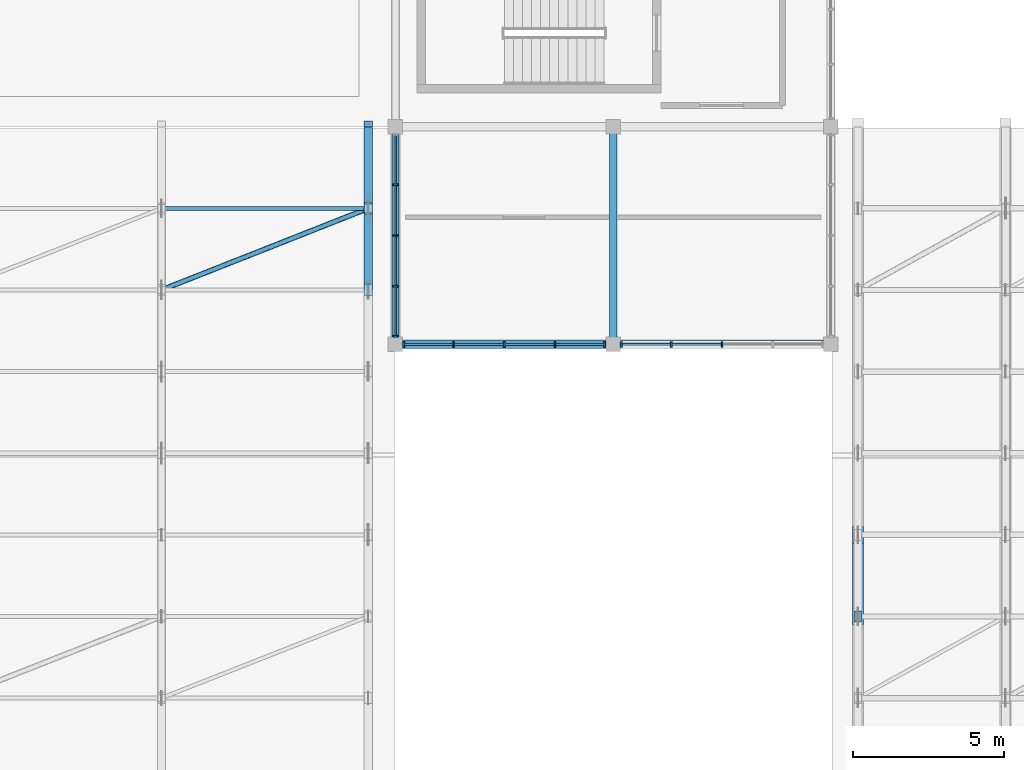
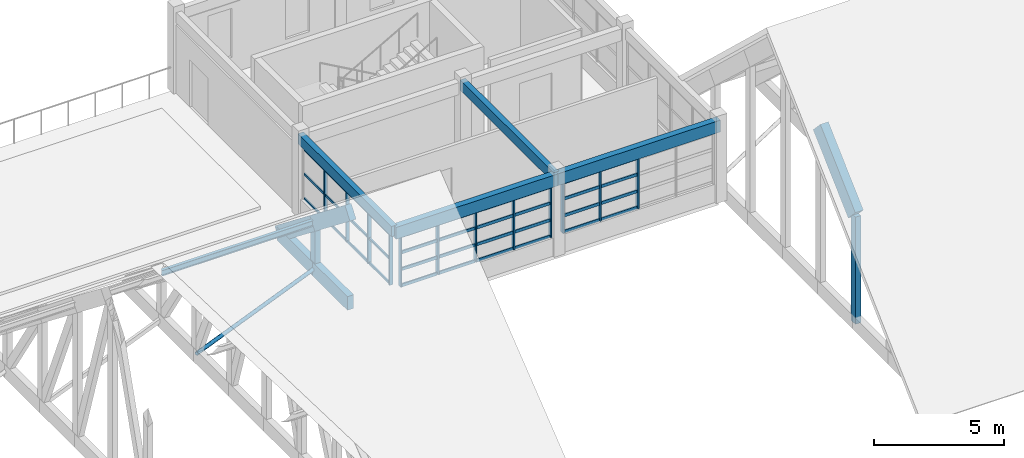
# One storey, part 20 of 79: 57 members, 4 beams, 3 elements without a shape of their own.
"""IFC4 building model written with IfcOpenShell, lengths in metres."""

from ifc_helpers import new_model, si_unit, direction, frame, origin, origin_2d, place, context, subcontext, project, spatial, rectangle, hollow_circle, i_section, extrude, material, material_profile, profile_set, type_object, element, aggregate, save


model = new_model("IFC4")

# Units and contexts
model_context = context("Model", 3, precision=1e-05, world=origin(), true_north=direction((0.0, 1.0)))
body_context = subcontext(model_context, "Body", "Model", "MODEL_VIEW")
ifc_project = project(units=[si_unit("LENGTHUNIT", "METRE"), si_unit("AREAUNIT", "SQUARE_METRE"), si_unit("VOLUMEUNIT", "CUBIC_METRE"), si_unit("PLANEANGLEUNIT", "RADIAN"), si_unit("MASSUNIT", "GRAM", prefix="KILO")], contexts=[model_context])

# Site, building, storey
site_placement = place(None, origin())
site = spatial("IfcSite", under=ifc_project, at=site_placement, CompositionType="ELEMENT")
building_placement = place(site_placement, origin())
building = spatial("IfcBuilding", under=site, at=building_placement, Name="Nzembalo Square Collegiate School", CompositionType="ELEMENT")
storey_placement = place(building_placement, frame((0.0, 0.0, 9.52001953125)))
storey = spatial("IfcBuildingStorey", under=building, at=storey_placement, Name="L02", CompositionType="ELEMENT", Elevation=9.52001953125)

# Beams
ifc_material_1 = material(Name="Glulam GL28h", Category="wood")
ifc_material_profile_1 = material_profile(ifc_material_1, rectangle(XDim=0.280029296875, YDim=0.56005859375, at=origin_2d()), Name="GL28h 280x560")
ifc_profile_set_1 = profile_set([ifc_material_profile_1], Name="Glulam GL28h")
beam_type_1 = type_object("IfcBeamType", Name="B05", PredefinedType="BEAM", material=ifc_profile_set_1)
for number, where, z_axis, x_axis, name in (
    (1, (76.800048828125, 97.199951171875, 3.5048828125), (1.0, 0.0, 0.0), (0.0, 1.0, 0.0), "Beam B05 L02"),
    (2, (84.0, 97.199951171875, 3.5048828125), (1.0, 0.0, 0.0), (0.0, 1.0, 0.0), "Beam B05 L02"),
):
    element("IfcBeam", number, at=place(storey_placement, frame(where, z_axis=z_axis, x_axis=x_axis)), inside=storey, type_object=beam_type_1, Name=name, PredefinedType="BEAM", context=body_context, shape_type="SweptSolid", body=[
        extrude(rectangle(XDim=0.280029296875, YDim=0.56005859375, at=origin_2d()), origin(), (0.0, 0.0, 1.0), 7.199951171875),
    ])
ifc_material_2 = material(Name="Glulam GL28h", Category="wood")
ifc_material_profile_2 = material_profile(ifc_material_2, rectangle(XDim=0.239990234375, YDim=0.47998046875, at=origin_2d()), Name="GL28h 240x480")
ifc_profile_set_2 = profile_set([ifc_material_profile_2], Name="Glulam GL28h")
beam_type_2 = type_object("IfcBeamType", Name="B06", PredefinedType="BEAM", material=ifc_profile_set_2)
for number, where, z_axis, x_axis, name in (
    (3, (76.800048828125, 97.199951171875, 3.544921875), (0.0, 1.0, 0.0), (-1.0, 0.0, 0.0), "Beam B06 L02"),
    (4, (84.0, 97.199951171875, 3.544921875), (0.0, 1.0, 0.0), (-1.0, 0.0, 0.0), "Beam B06 L02"),
):
    element("IfcBeam", number, at=place(storey_placement, frame(where, z_axis=z_axis, x_axis=x_axis)), inside=storey, type_object=beam_type_2, Name=name, PredefinedType="BEAM", context=body_context, shape_type="SweptSolid", body=[
        extrude(rectangle(XDim=0.239990234375, YDim=0.47998046875, at=origin_2d()), origin(), (0.0, 0.0, 1.0), 7.199951171875),
    ])

# Curtain wall, members
ifc_material_3 = material(Name="Aluminium 6060-T66", Category="aluminium")
curtain_wall_type_1 = type_object("IfcCurtainWallType", Name="CW-01", PredefinedType="USERDEFINED", material=ifc_material_3)
curtain_wall_1_placement = place(storey_placement, origin())
curtain_wall_1 = element("IfcCurtainWall", 5, at=curtain_wall_1_placement, inside=storey, type_object=curtain_wall_type_1, Name="Curtain wall CW-01 cw:L02:112", ObjectType="UNITISED", PredefinedType="USERDEFINED")
ifc_material_4 = material(Name="Aluminium 6060-T66", Category="aluminium")
ifc_material_profile_3 = material_profile(ifc_material_4, rectangle(XDim=0.06005859375, YDim=0.179931640625, at=origin_2d()), Name="ALU M60x180")
ifc_profile_set_3 = profile_set([ifc_material_profile_3], Name="Aluminium 6060-T66")
member_type_1 = type_object("IfcMemberType", Name="ML01", PredefinedType="MULLION", material=ifc_profile_set_3)
member_1_placement = place(storey_placement, frame((77.072021484375, 97.199951171875, 0.85009765625), z_axis=(0.0, 0.0, 1.0), x_axis=(1.0, 0.0, 0.0)))
member_1 = element("IfcMember", 6, at=member_1_placement, type_object=member_type_1, Name="ML01 mullion 1", PredefinedType="MULLION", context=body_context, shape_type="SweptSolid", body=[
    extrude(rectangle(XDim=0.06005859375, YDim=0.179931640625, at=origin_2d()), origin(), (0.0, 0.0, 1.0), 2.368896484375),
])
member_2_placement = place(storey_placement, frame((78.720947265625, 97.199951171875, 0.85009765625), z_axis=(0.0, 0.0, 1.0), x_axis=(1.0, 0.0, 0.0)))
member_2 = element("IfcMember", 7, at=member_2_placement, type_object=member_type_1, Name="ML01 mullion 2", PredefinedType="MULLION", context=body_context, shape_type="SweptSolid", body=[
    extrude(rectangle(XDim=0.06005859375, YDim=0.179931640625, at=origin_2d()), origin(), (0.0, 0.0, 1.0), 2.368896484375),
])
member_3_placement = place(storey_placement, frame((80.39990234375, 97.199951171875, 0.85009765625), z_axis=(0.0, 0.0, 1.0), x_axis=(1.0, 0.0, 0.0)))
member_3 = element("IfcMember", 8, at=member_3_placement, type_object=member_type_1, Name="ML01 mullion 3", PredefinedType="MULLION", context=body_context, shape_type="SweptSolid", body=[
    extrude(rectangle(XDim=0.06005859375, YDim=0.179931640625, at=origin_2d()), origin(), (0.0, 0.0, 1.0), 2.368896484375),
])
member_4_placement = place(storey_placement, frame((82.0791015625, 97.199951171875, 0.85009765625), z_axis=(0.0, 0.0, 1.0), x_axis=(1.0, 0.0, 0.0)))
member_4 = element("IfcMember", 9, at=member_4_placement, type_object=member_type_1, Name="ML01 mullion 4", PredefinedType="MULLION", context=body_context, shape_type="SweptSolid", body=[
    extrude(rectangle(XDim=0.06005859375, YDim=0.179931640625, at=origin_2d()), origin(), (0.0, 0.0, 1.0), 2.368896484375),
])
member_5_placement = place(storey_placement, frame((83.72802734375, 97.199951171875, 0.85009765625), z_axis=(0.0, 0.0, 1.0), x_axis=(1.0, 0.0, 0.0)))
member_5 = element("IfcMember", 10, at=member_5_placement, type_object=member_type_1, Name="ML01 mullion 5", PredefinedType="MULLION", context=body_context, shape_type="SweptSolid", body=[
    extrude(rectangle(XDim=0.06005859375, YDim=0.179931640625, at=origin_2d()), origin(), (0.0, 0.0, 1.0), 2.368896484375),
])

ifc_material_5 = material(Name="Aluminium 6060-T66", Category="aluminium")
curtain_wall_type_2 = type_object("IfcCurtainWallType", Name="CW-02", PredefinedType="USERDEFINED", material=ifc_material_5)
curtain_wall_2_placement = place(storey_placement, origin())
curtain_wall_2 = element("IfcCurtainWall", 11, at=curtain_wall_2_placement, inside=storey, type_object=curtain_wall_type_2, Name="Curtain wall CW-02 cw:L02:113", ObjectType="UNITISED", PredefinedType="USERDEFINED")
member_6_placement = place(storey_placement, frame((84.27197265625, 97.199951171875, 0.85009765625), z_axis=(0.0, 0.0, 1.0), x_axis=(1.0, 0.0, 0.0)))
member_6 = element("IfcMember", 12, at=member_6_placement, type_object=member_type_1, Name="ML01 mullion 1", PredefinedType="MULLION", context=body_context, shape_type="SweptSolid", body=[
    extrude(rectangle(XDim=0.06005859375, YDim=0.179931640625, at=origin_2d()), origin(), (0.0, 0.0, 1.0), 2.368896484375),
])
member_7_placement = place(storey_placement, frame((85.9208984375, 97.199951171875, 0.85009765625), z_axis=(0.0, 0.0, 1.0), x_axis=(1.0, 0.0, 0.0)))
member_7 = element("IfcMember", 13, at=member_7_placement, type_object=member_type_1, Name="ML01 mullion 2", PredefinedType="MULLION", context=body_context, shape_type="SweptSolid", body=[
    extrude(rectangle(XDim=0.06005859375, YDim=0.179931640625, at=origin_2d()), origin(), (0.0, 0.0, 1.0), 2.368896484375),
])
member_8_placement = place(storey_placement, frame((87.60009765625, 97.199951171875, 0.85009765625), z_axis=(0.0, 0.0, 1.0), x_axis=(1.0, 0.0, 0.0)))
member_8 = element("IfcMember", 14, at=member_8_placement, type_object=member_type_1, Name="ML01 mullion 3", PredefinedType="MULLION", context=body_context, shape_type="SweptSolid", body=[
    extrude(rectangle(XDim=0.06005859375, YDim=0.179931640625, at=origin_2d()), origin(), (0.0, 0.0, 1.0), 2.368896484375),
])

ifc_material_6 = material(Name="Aluminium 6060-T66", Category="aluminium")
curtain_wall_type_3 = type_object("IfcCurtainWallType", Name="CW-03", PredefinedType="USERDEFINED", material=ifc_material_6)
curtain_wall_3_placement = place(storey_placement, origin())
curtain_wall_3 = element("IfcCurtainWall", 15, at=curtain_wall_3_placement, inside=storey, type_object=curtain_wall_type_3, Name="Curtain wall CW-03 cw:L02:114", ObjectType="UNITISED", PredefinedType="USERDEFINED")
ifc_material_7 = material(Name="Aluminium 6060-T66", Category="aluminium")
ifc_material_profile_4 = material_profile(ifc_material_7, rectangle(XDim=0.06005859375, YDim=0.14990234375, at=origin_2d()), Name="ALU M60x150")
ifc_profile_set_4 = profile_set([ifc_material_profile_4], Name="Aluminium 6060-T66")
member_type_2 = type_object("IfcMemberType", Name="ML02", PredefinedType="MULLION", material=ifc_profile_set_4)
member_9_placement = place(storey_placement, frame((76.800048828125, 97.471923828125, 0.85009765625), z_axis=(0.0, 0.0, 1.0), x_axis=(0.0, 1.0, 0.0)))
member_9 = element("IfcMember", 16, at=member_9_placement, type_object=member_type_2, Name="ML02 mullion 1", PredefinedType="MULLION", context=body_context, shape_type="SweptSolid", body=[
    extrude(rectangle(XDim=0.06005859375, YDim=0.14990234375, at=origin_2d()), origin(), (0.0, 0.0, 1.0), 2.368896484375),
])
member_10_placement = place(storey_placement, frame((76.800048828125, 99.12109375, 0.85009765625), z_axis=(0.0, 0.0, 1.0), x_axis=(0.0, 1.0, 0.0)))
member_10 = element("IfcMember", 17, at=member_10_placement, type_object=member_type_2, Name="ML02 mullion 2", PredefinedType="MULLION", context=body_context, shape_type="SweptSolid", body=[
    extrude(rectangle(XDim=0.06005859375, YDim=0.14990234375, at=origin_2d()), origin(), (0.0, 0.0, 1.0), 2.368896484375),
])
member_11_placement = place(storey_placement, frame((76.800048828125, 100.800048828125, 0.85009765625), z_axis=(0.0, 0.0, 1.0), x_axis=(0.0, 1.0, 0.0)))
member_11 = element("IfcMember", 18, at=member_11_placement, type_object=member_type_2, Name="ML02 mullion 3", PredefinedType="MULLION", context=body_context, shape_type="SweptSolid", body=[
    extrude(rectangle(XDim=0.06005859375, YDim=0.14990234375, at=origin_2d()), origin(), (0.0, 0.0, 1.0), 2.368896484375),
])
member_12_placement = place(storey_placement, frame((76.800048828125, 102.47900390625, 0.85009765625), z_axis=(0.0, 0.0, 1.0), x_axis=(0.0, 1.0, 0.0)))
member_12 = element("IfcMember", 19, at=member_12_placement, type_object=member_type_2, Name="ML02 mullion 4", PredefinedType="MULLION", context=body_context, shape_type="SweptSolid", body=[
    extrude(rectangle(XDim=0.06005859375, YDim=0.14990234375, at=origin_2d()), origin(), (0.0, 0.0, 1.0), 2.368896484375),
])

# Member
ifc_material_8 = material(Name="Aluminium 6060-T66", Category="aluminium")
ifc_material_profile_5 = material_profile(ifc_material_8, rectangle(XDim=0.06005859375, YDim=0.139892578125, at=origin_2d()), Name="ALU T60x140")
ifc_profile_set_5 = profile_set([ifc_material_profile_5], Name="Aluminium 6060-T66")
member_type_3 = type_object("IfcMemberType", Name="TR01", PredefinedType="USERDEFINED", material=ifc_profile_set_5)
member_13_placement = place(storey_placement, frame((77.10205078125, 97.199951171875, 0.8798828125), z_axis=(1.0, 0.0, 0.0), x_axis=(0.0, 1.0, 0.0)))
member_13 = element("IfcMember", 20, at=member_13_placement, type_object=member_type_3, Name="TR01 transom 1-1", ObjectType="TRANSOM", PredefinedType="USERDEFINED", context=body_context, shape_type="SweptSolid", body=[
    extrude(rectangle(XDim=0.06005859375, YDim=0.139892578125, at=origin_2d()), origin(), (0.0, 0.0, 1.0), 1.5888671875),
])

member_14_placement = place(storey_placement, frame((78.7509765625, 97.199951171875, 0.8798828125), z_axis=(1.0, 0.0, 0.0), x_axis=(0.0, 1.0, 0.0)))
member_14 = element("IfcMember", 21, at=member_14_placement, type_object=member_type_3, Name="TR01 transom 1-2", ObjectType="TRANSOM", PredefinedType="USERDEFINED", context=body_context, shape_type="SweptSolid", body=[
    extrude(rectangle(XDim=0.06005859375, YDim=0.139892578125, at=origin_2d()), origin(), (0.0, 0.0, 1.0), 1.619140625),
])

member_15_placement = place(storey_placement, frame((80.429931640625, 97.199951171875, 0.8798828125), z_axis=(1.0, 0.0, 0.0), x_axis=(0.0, 1.0, 0.0)))
member_15 = element("IfcMember", 22, at=member_15_placement, type_object=member_type_3, Name="TR01 transom 1-3", ObjectType="TRANSOM", PredefinedType="USERDEFINED", context=body_context, shape_type="SweptSolid", body=[
    extrude(rectangle(XDim=0.06005859375, YDim=0.139892578125, at=origin_2d()), origin(), (0.0, 0.0, 1.0), 1.619140625),
])

member_16_placement = place(storey_placement, frame((82.10888671875, 97.199951171875, 0.8798828125), z_axis=(1.0, 0.0, 0.0), x_axis=(0.0, 1.0, 0.0)))
member_16 = element("IfcMember", 23, at=member_16_placement, type_object=member_type_3, Name="TR01 transom 1-4", ObjectType="TRANSOM", PredefinedType="USERDEFINED", context=body_context, shape_type="SweptSolid", body=[
    extrude(rectangle(XDim=0.06005859375, YDim=0.139892578125, at=origin_2d()), origin(), (0.0, 0.0, 1.0), 1.589111328125),
])

member_17_placement = place(storey_placement, frame((77.10205078125, 97.199951171875, 1.6396484375), z_axis=(1.0, 0.0, 0.0), x_axis=(0.0, 1.0, 0.0)))
member_17 = element("IfcMember", 24, at=member_17_placement, type_object=member_type_3, Name="TR01 transom 2-1", ObjectType="TRANSOM", PredefinedType="USERDEFINED", context=body_context, shape_type="SweptSolid", body=[
    extrude(rectangle(XDim=0.06005859375, YDim=0.139892578125, at=origin_2d()), origin(), (0.0, 0.0, 1.0), 1.5888671875),
])

member_18_placement = place(storey_placement, frame((78.7509765625, 97.199951171875, 1.6396484375), z_axis=(1.0, 0.0, 0.0), x_axis=(0.0, 1.0, 0.0)))
member_18 = element("IfcMember", 25, at=member_18_placement, type_object=member_type_3, Name="TR01 transom 2-2", ObjectType="TRANSOM", PredefinedType="USERDEFINED", context=body_context, shape_type="SweptSolid", body=[
    extrude(rectangle(XDim=0.06005859375, YDim=0.139892578125, at=origin_2d()), origin(), (0.0, 0.0, 1.0), 1.619140625),
])

member_19_placement = place(storey_placement, frame((80.429931640625, 97.199951171875, 1.6396484375), z_axis=(1.0, 0.0, 0.0), x_axis=(0.0, 1.0, 0.0)))
member_19 = element("IfcMember", 26, at=member_19_placement, type_object=member_type_3, Name="TR01 transom 2-3", ObjectType="TRANSOM", PredefinedType="USERDEFINED", context=body_context, shape_type="SweptSolid", body=[
    extrude(rectangle(XDim=0.06005859375, YDim=0.139892578125, at=origin_2d()), origin(), (0.0, 0.0, 1.0), 1.619140625),
])

member_20_placement = place(storey_placement, frame((82.10888671875, 97.199951171875, 1.6396484375), z_axis=(1.0, 0.0, 0.0), x_axis=(0.0, 1.0, 0.0)))
member_20 = element("IfcMember", 27, at=member_20_placement, type_object=member_type_3, Name="TR01 transom 2-4", ObjectType="TRANSOM", PredefinedType="USERDEFINED", context=body_context, shape_type="SweptSolid", body=[
    extrude(rectangle(XDim=0.06005859375, YDim=0.139892578125, at=origin_2d()), origin(), (0.0, 0.0, 1.0), 1.589111328125),
])

member_21_placement = place(storey_placement, frame((77.10205078125, 97.199951171875, 2.42919921875), z_axis=(1.0, 0.0, 0.0), x_axis=(0.0, 1.0, 0.0)))
member_21 = element("IfcMember", 28, at=member_21_placement, type_object=member_type_3, Name="TR01 transom 3-1", ObjectType="TRANSOM", PredefinedType="USERDEFINED", context=body_context, shape_type="SweptSolid", body=[
    extrude(rectangle(XDim=0.06005859375, YDim=0.139892578125, at=origin_2d()), origin(), (0.0, 0.0, 1.0), 1.5888671875),
])

member_22_placement = place(storey_placement, frame((78.7509765625, 97.199951171875, 2.42919921875), z_axis=(1.0, 0.0, 0.0), x_axis=(0.0, 1.0, 0.0)))
member_22 = element("IfcMember", 29, at=member_22_placement, type_object=member_type_3, Name="TR01 transom 3-2", ObjectType="TRANSOM", PredefinedType="USERDEFINED", context=body_context, shape_type="SweptSolid", body=[
    extrude(rectangle(XDim=0.06005859375, YDim=0.139892578125, at=origin_2d()), origin(), (0.0, 0.0, 1.0), 1.619140625),
])

member_23_placement = place(storey_placement, frame((80.429931640625, 97.199951171875, 2.42919921875), z_axis=(1.0, 0.0, 0.0), x_axis=(0.0, 1.0, 0.0)))
member_23 = element("IfcMember", 30, at=member_23_placement, type_object=member_type_3, Name="TR01 transom 3-3", ObjectType="TRANSOM", PredefinedType="USERDEFINED", context=body_context, shape_type="SweptSolid", body=[
    extrude(rectangle(XDim=0.06005859375, YDim=0.139892578125, at=origin_2d()), origin(), (0.0, 0.0, 1.0), 1.619140625),
])

member_24_placement = place(storey_placement, frame((82.10888671875, 97.199951171875, 2.42919921875), z_axis=(1.0, 0.0, 0.0), x_axis=(0.0, 1.0, 0.0)))
member_24 = element("IfcMember", 31, at=member_24_placement, type_object=member_type_3, Name="TR01 transom 3-4", ObjectType="TRANSOM", PredefinedType="USERDEFINED", context=body_context, shape_type="SweptSolid", body=[
    extrude(rectangle(XDim=0.06005859375, YDim=0.139892578125, at=origin_2d()), origin(), (0.0, 0.0, 1.0), 1.589111328125),
])

member_25_placement = place(storey_placement, frame((77.10205078125, 97.199951171875, 3.18896484375), z_axis=(1.0, 0.0, 0.0), x_axis=(0.0, 1.0, 0.0)))
member_25 = element("IfcMember", 32, at=member_25_placement, type_object=member_type_3, Name="TR01 transom 4-1", ObjectType="TRANSOM", PredefinedType="USERDEFINED", context=body_context, shape_type="SweptSolid", body=[
    extrude(rectangle(XDim=0.06005859375, YDim=0.139892578125, at=origin_2d()), origin(), (0.0, 0.0, 1.0), 1.5888671875),
])

member_26_placement = place(storey_placement, frame((78.7509765625, 97.199951171875, 3.18896484375), z_axis=(1.0, 0.0, 0.0), x_axis=(0.0, 1.0, 0.0)))
member_26 = element("IfcMember", 33, at=member_26_placement, type_object=member_type_3, Name="TR01 transom 4-2", ObjectType="TRANSOM", PredefinedType="USERDEFINED", context=body_context, shape_type="SweptSolid", body=[
    extrude(rectangle(XDim=0.06005859375, YDim=0.139892578125, at=origin_2d()), origin(), (0.0, 0.0, 1.0), 1.619140625),
])

member_27_placement = place(storey_placement, frame((80.429931640625, 97.199951171875, 3.18896484375), z_axis=(1.0, 0.0, 0.0), x_axis=(0.0, 1.0, 0.0)))
member_27 = element("IfcMember", 34, at=member_27_placement, type_object=member_type_3, Name="TR01 transom 4-3", ObjectType="TRANSOM", PredefinedType="USERDEFINED", context=body_context, shape_type="SweptSolid", body=[
    extrude(rectangle(XDim=0.06005859375, YDim=0.139892578125, at=origin_2d()), origin(), (0.0, 0.0, 1.0), 1.619140625),
])

member_28_placement = place(storey_placement, frame((82.10888671875, 97.199951171875, 3.18896484375), z_axis=(1.0, 0.0, 0.0), x_axis=(0.0, 1.0, 0.0)))
member_28 = element("IfcMember", 35, at=member_28_placement, type_object=member_type_3, Name="TR01 transom 4-4", ObjectType="TRANSOM", PredefinedType="USERDEFINED", context=body_context, shape_type="SweptSolid", body=[
    extrude(rectangle(XDim=0.06005859375, YDim=0.139892578125, at=origin_2d()), origin(), (0.0, 0.0, 1.0), 1.589111328125),
])

aggregate(curtain_wall_1, [member_1, member_2, member_3, member_4, member_5, member_13, member_14, member_15, member_16, member_17, member_18, member_19, member_20, member_21, member_22, member_23, member_24, member_25, member_26, member_27, member_28])

member_29_placement = place(storey_placement, frame((84.302001953125, 97.199951171875, 0.8798828125), z_axis=(1.0, 0.0, 0.0), x_axis=(0.0, 1.0, 0.0)))
member_29 = element("IfcMember", 36, at=member_29_placement, type_object=member_type_3, Name="TR01 transom 1-1", ObjectType="TRANSOM", PredefinedType="USERDEFINED", context=body_context, shape_type="SweptSolid", body=[
    extrude(rectangle(XDim=0.06005859375, YDim=0.139892578125, at=origin_2d()), origin(), (0.0, 0.0, 1.0), 1.589111328125),
])

member_30_placement = place(storey_placement, frame((85.950927734375, 97.199951171875, 0.8798828125), z_axis=(1.0, 0.0, 0.0), x_axis=(0.0, 1.0, 0.0)))
member_30 = element("IfcMember", 37, at=member_30_placement, type_object=member_type_3, Name="TR01 transom 1-2", ObjectType="TRANSOM", PredefinedType="USERDEFINED", context=body_context, shape_type="SweptSolid", body=[
    extrude(rectangle(XDim=0.06005859375, YDim=0.139892578125, at=origin_2d()), origin(), (0.0, 0.0, 1.0), 1.619140625),
])

member_31_placement = place(storey_placement, frame((84.302001953125, 97.199951171875, 1.6396484375), z_axis=(1.0, 0.0, 0.0), x_axis=(0.0, 1.0, 0.0)))
member_31 = element("IfcMember", 38, at=member_31_placement, type_object=member_type_3, Name="TR01 transom 2-1", ObjectType="TRANSOM", PredefinedType="USERDEFINED", context=body_context, shape_type="SweptSolid", body=[
    extrude(rectangle(XDim=0.06005859375, YDim=0.139892578125, at=origin_2d()), origin(), (0.0, 0.0, 1.0), 1.589111328125),
])

member_32_placement = place(storey_placement, frame((85.950927734375, 97.199951171875, 1.6396484375), z_axis=(1.0, 0.0, 0.0), x_axis=(0.0, 1.0, 0.0)))
member_32 = element("IfcMember", 39, at=member_32_placement, type_object=member_type_3, Name="TR01 transom 2-2", ObjectType="TRANSOM", PredefinedType="USERDEFINED", context=body_context, shape_type="SweptSolid", body=[
    extrude(rectangle(XDim=0.06005859375, YDim=0.139892578125, at=origin_2d()), origin(), (0.0, 0.0, 1.0), 1.619140625),
])

member_33_placement = place(storey_placement, frame((84.302001953125, 97.199951171875, 2.42919921875), z_axis=(1.0, 0.0, 0.0), x_axis=(0.0, 1.0, 0.0)))
member_33 = element("IfcMember", 40, at=member_33_placement, type_object=member_type_3, Name="TR01 transom 3-1", ObjectType="TRANSOM", PredefinedType="USERDEFINED", context=body_context, shape_type="SweptSolid", body=[
    extrude(rectangle(XDim=0.06005859375, YDim=0.139892578125, at=origin_2d()), origin(), (0.0, 0.0, 1.0), 1.589111328125),
])

member_34_placement = place(storey_placement, frame((85.950927734375, 97.199951171875, 2.42919921875), z_axis=(1.0, 0.0, 0.0), x_axis=(0.0, 1.0, 0.0)))
member_34 = element("IfcMember", 41, at=member_34_placement, type_object=member_type_3, Name="TR01 transom 3-2", ObjectType="TRANSOM", PredefinedType="USERDEFINED", context=body_context, shape_type="SweptSolid", body=[
    extrude(rectangle(XDim=0.06005859375, YDim=0.139892578125, at=origin_2d()), origin(), (0.0, 0.0, 1.0), 1.619140625),
])

member_35_placement = place(storey_placement, frame((84.302001953125, 97.199951171875, 3.18896484375), z_axis=(1.0, 0.0, 0.0), x_axis=(0.0, 1.0, 0.0)))
member_35 = element("IfcMember", 42, at=member_35_placement, type_object=member_type_3, Name="TR01 transom 4-1", ObjectType="TRANSOM", PredefinedType="USERDEFINED", context=body_context, shape_type="SweptSolid", body=[
    extrude(rectangle(XDim=0.06005859375, YDim=0.139892578125, at=origin_2d()), origin(), (0.0, 0.0, 1.0), 1.589111328125),
])

member_36_placement = place(storey_placement, frame((85.950927734375, 97.199951171875, 3.18896484375), z_axis=(1.0, 0.0, 0.0), x_axis=(0.0, 1.0, 0.0)))
member_36 = element("IfcMember", 43, at=member_36_placement, type_object=member_type_3, Name="TR01 transom 4-2", ObjectType="TRANSOM", PredefinedType="USERDEFINED", context=body_context, shape_type="SweptSolid", body=[
    extrude(rectangle(XDim=0.06005859375, YDim=0.139892578125, at=origin_2d()), origin(), (0.0, 0.0, 1.0), 1.619140625),
])

aggregate(curtain_wall_2, [member_6, member_7, member_8, member_29, member_30, member_31, member_32, member_33, member_34, member_35, member_36])

ifc_material_9 = material(Name="Aluminium 6060-T66", Category="aluminium")
ifc_material_profile_6 = material_profile(ifc_material_9, rectangle(XDim=0.06005859375, YDim=0.110107421875, at=origin_2d()), Name="ALU T60x110")
ifc_profile_set_6 = profile_set([ifc_material_profile_6], Name="Aluminium 6060-T66")
member_type_4 = type_object("IfcMemberType", Name="TR02", PredefinedType="USERDEFINED", material=ifc_profile_set_6)
member_37_placement = place(storey_placement, frame((76.800048828125, 97.501953125, 0.8798828125), z_axis=(0.0, 1.0, 0.0), x_axis=(-1.0, 0.0, 0.0)))
member_37 = element("IfcMember", 44, at=member_37_placement, type_object=member_type_4, Name="TR02 transom 1-1", ObjectType="TRANSOM", PredefinedType="USERDEFINED", context=body_context, shape_type="SweptSolid", body=[
    extrude(rectangle(XDim=0.06005859375, YDim=0.110107421875, at=origin_2d()), origin(), (0.0, 0.0, 1.0), 1.589111328125),
])

member_38_placement = place(storey_placement, frame((76.800048828125, 99.15087890625, 0.8798828125), z_axis=(0.0, 1.0, 0.0), x_axis=(-1.0, 0.0, 0.0)))
member_38 = element("IfcMember", 45, at=member_38_placement, type_object=member_type_4, Name="TR02 transom 1-2", ObjectType="TRANSOM", PredefinedType="USERDEFINED", context=body_context, shape_type="SweptSolid", body=[
    extrude(rectangle(XDim=0.06005859375, YDim=0.110107421875, at=origin_2d()), origin(), (0.0, 0.0, 1.0), 1.619140625),
])

member_39_placement = place(storey_placement, frame((76.800048828125, 100.830078125, 0.8798828125), z_axis=(0.0, 1.0, 0.0), x_axis=(-1.0, 0.0, 0.0)))
member_39 = element("IfcMember", 46, at=member_39_placement, type_object=member_type_4, Name="TR02 transom 1-3", ObjectType="TRANSOM", PredefinedType="USERDEFINED", context=body_context, shape_type="SweptSolid", body=[
    extrude(rectangle(XDim=0.06005859375, YDim=0.110107421875, at=origin_2d()), origin(), (0.0, 0.0, 1.0), 1.618896484375),
])

member_40_placement = place(storey_placement, frame((76.800048828125, 102.509033203125, 0.8798828125), z_axis=(0.0, 1.0, 0.0), x_axis=(-1.0, 0.0, 0.0)))
member_40 = element("IfcMember", 47, at=member_40_placement, type_object=member_type_4, Name="TR02 transom 1-4", ObjectType="TRANSOM", PredefinedType="USERDEFINED", context=body_context, shape_type="SweptSolid", body=[
    extrude(rectangle(XDim=0.06005859375, YDim=0.110107421875, at=origin_2d()), origin(), (0.0, 0.0, 1.0), 1.5888671875),
])

member_41_placement = place(storey_placement, frame((76.800048828125, 97.501953125, 2.034423828125), z_axis=(0.0, 1.0, 0.0), x_axis=(-1.0, 0.0, 0.0)))
member_41 = element("IfcMember", 48, at=member_41_placement, type_object=member_type_4, Name="TR02 transom 2-1", ObjectType="TRANSOM", PredefinedType="USERDEFINED", context=body_context, shape_type="SweptSolid", body=[
    extrude(rectangle(XDim=0.06005859375, YDim=0.110107421875, at=origin_2d()), origin(), (0.0, 0.0, 1.0), 1.589111328125),
])

member_42_placement = place(storey_placement, frame((76.800048828125, 99.15087890625, 2.034423828125), z_axis=(0.0, 1.0, 0.0), x_axis=(-1.0, 0.0, 0.0)))
member_42 = element("IfcMember", 49, at=member_42_placement, type_object=member_type_4, Name="TR02 transom 2-2", ObjectType="TRANSOM", PredefinedType="USERDEFINED", context=body_context, shape_type="SweptSolid", body=[
    extrude(rectangle(XDim=0.06005859375, YDim=0.110107421875, at=origin_2d()), origin(), (0.0, 0.0, 1.0), 1.619140625),
])

member_43_placement = place(storey_placement, frame((76.800048828125, 100.830078125, 2.034423828125), z_axis=(0.0, 1.0, 0.0), x_axis=(-1.0, 0.0, 0.0)))
member_43 = element("IfcMember", 50, at=member_43_placement, type_object=member_type_4, Name="TR02 transom 2-3", ObjectType="TRANSOM", PredefinedType="USERDEFINED", context=body_context, shape_type="SweptSolid", body=[
    extrude(rectangle(XDim=0.06005859375, YDim=0.110107421875, at=origin_2d()), origin(), (0.0, 0.0, 1.0), 1.618896484375),
])

member_44_placement = place(storey_placement, frame((76.800048828125, 102.509033203125, 2.034423828125), z_axis=(0.0, 1.0, 0.0), x_axis=(-1.0, 0.0, 0.0)))
member_44 = element("IfcMember", 51, at=member_44_placement, type_object=member_type_4, Name="TR02 transom 2-4", ObjectType="TRANSOM", PredefinedType="USERDEFINED", context=body_context, shape_type="SweptSolid", body=[
    extrude(rectangle(XDim=0.06005859375, YDim=0.110107421875, at=origin_2d()), origin(), (0.0, 0.0, 1.0), 1.5888671875),
])

member_45_placement = place(storey_placement, frame((76.800048828125, 97.501953125, 3.18896484375), z_axis=(0.0, 1.0, 0.0), x_axis=(-1.0, 0.0, 0.0)))
member_45 = element("IfcMember", 52, at=member_45_placement, type_object=member_type_4, Name="TR02 transom 3-1", ObjectType="TRANSOM", PredefinedType="USERDEFINED", context=body_context, shape_type="SweptSolid", body=[
    extrude(rectangle(XDim=0.06005859375, YDim=0.110107421875, at=origin_2d()), origin(), (0.0, 0.0, 1.0), 1.589111328125),
])

member_46_placement = place(storey_placement, frame((76.800048828125, 99.15087890625, 3.18896484375), z_axis=(0.0, 1.0, 0.0), x_axis=(-1.0, 0.0, 0.0)))
member_46 = element("IfcMember", 53, at=member_46_placement, type_object=member_type_4, Name="TR02 transom 3-2", ObjectType="TRANSOM", PredefinedType="USERDEFINED", context=body_context, shape_type="SweptSolid", body=[
    extrude(rectangle(XDim=0.06005859375, YDim=0.110107421875, at=origin_2d()), origin(), (0.0, 0.0, 1.0), 1.619140625),
])

member_47_placement = place(storey_placement, frame((76.800048828125, 100.830078125, 3.18896484375), z_axis=(0.0, 1.0, 0.0), x_axis=(-1.0, 0.0, 0.0)))
member_47 = element("IfcMember", 54, at=member_47_placement, type_object=member_type_4, Name="TR02 transom 3-3", ObjectType="TRANSOM", PredefinedType="USERDEFINED", context=body_context, shape_type="SweptSolid", body=[
    extrude(rectangle(XDim=0.06005859375, YDim=0.110107421875, at=origin_2d()), origin(), (0.0, 0.0, 1.0), 1.618896484375),
])

member_48_placement = place(storey_placement, frame((76.800048828125, 102.509033203125, 3.18896484375), z_axis=(0.0, 1.0, 0.0), x_axis=(-1.0, 0.0, 0.0)))
member_48 = element("IfcMember", 55, at=member_48_placement, type_object=member_type_4, Name="TR02 transom 3-4", ObjectType="TRANSOM", PredefinedType="USERDEFINED", context=body_context, shape_type="SweptSolid", body=[
    extrude(rectangle(XDim=0.06005859375, YDim=0.110107421875, at=origin_2d()), origin(), (0.0, 0.0, 1.0), 1.5888671875),
])

aggregate(curtain_wall_3, [member_9, member_10, member_11, member_12, member_37, member_38, member_39, member_40, member_41, member_42, member_43, member_44, member_45, member_46, member_47, member_48])

# Members
ifc_material_10 = material(Name="Steel S355", Category="steel")
ifc_material_profile_7 = material_profile(ifc_material_10, hollow_circle(Radius=0.083984375, WallThickness=0.008056640625, at=origin_2d()), Name="CHS 168x8")
ifc_profile_set_7 = profile_set([ifc_material_profile_7], Name="Steel S355")
member_type_5 = type_object("IfcMemberType", Name="BR01", PredefinedType="BRACE", material=ifc_profile_set_7)
member_49_placement = place(storey_placement, frame((69.06005859375, 99.0, -0.60009765625), z_axis=(0.930154624551, 0.367168046577, 0.0), x_axis=(-0.367168046577, 0.930154624551, 0.0)))
element("IfcMember", 56, at=member_49_placement, inside=storey, type_object=member_type_5, Name="Roof wind brace BR01 GT-DH1-06-6", PredefinedType="BRACE", context=body_context, shape_type="SweptSolid", body=[
    extrude(hollow_circle(Radius=0.083984375, WallThickness=0.008056640625, at=origin_2d()), origin(), (0.0, 0.0, 1.0), 7.353515625),
])
ifc_material_11 = material(Name="Steel S355", Category="steel")
ifc_material_profile_8 = material_profile(ifc_material_11, i_section(OverallWidth=0.135009765625, OverallDepth=0.27001953125, WebThickness=0.006591796875, FlangeThickness=0.01025390625, at=origin_2d()), Name="IPE 270")
ifc_profile_set_8 = profile_set([ifc_material_profile_8], Name="Steel S355")
member_type_6 = type_object("IfcMemberType", Name="PR02", PredefinedType="PURLIN", material=ifc_profile_set_8)
member_50_placement = place(storey_placement, frame((69.06005859375, 101.699951171875, 1.56494140625), z_axis=(1.0, 0.0, 0.0), x_axis=(0.0, 1.0, 0.0)))
element("IfcMember", 57, at=member_50_placement, inside=storey, type_object=member_type_6, Name="Roof purlin PR02 GT-DH1-06-7", PredefinedType="PURLIN", context=body_context, shape_type="SweptSolid", body=[
    extrude(i_section(OverallWidth=0.135009765625, OverallDepth=0.27001953125, WebThickness=0.006591796875, FlangeThickness=0.01025390625, at=origin_2d()), origin(), (0.0, 0.0, 1.0), 6.83984375),
])
ifc_material_12 = material(Name="Glulam GL32h", Category="wood")
ifc_material_profile_9 = material_profile(ifc_material_12, rectangle(XDim=0.360107421875, YDim=0.800048828125, at=origin_2d()), Name="GL32h 360x800")
ifc_profile_set_9 = profile_set([ifc_material_profile_9], Name="Glulam GL32h")
member_type_7 = type_object("IfcMemberType", Name="TC01", PredefinedType="CHORD", material=ifc_profile_set_9)
member_51_placement = place(storey_placement, frame((92.10009765625, 88.199951171875, 4.429931640625), z_axis=(0.0, 0.731706201412, 0.681620154349), x_axis=(-1.0, 0.0, 0.0)))
element("IfcMember", 58, at=member_51_placement, inside=storey, type_object=member_type_7, Name="GT-AH1-01 top chord 3", PredefinedType="CHORD", context=body_context, shape_type="SweptSolid", body=[
    extrude(rectangle(XDim=0.360107421875, YDim=0.800048828125, at=origin_2d()), origin(), (0.0, 0.0, 1.0), 3.68994140625),
])
ifc_material_13 = material(Name="Glulam GL32h", Category="wood")
ifc_material_profile_10 = material_profile(ifc_material_13, rectangle(XDim=0.280029296875, YDim=0.639892578125, at=origin_2d()), Name="GL32h 280x640")
ifc_profile_set_10 = profile_set([ifc_material_profile_10], Name="Glulam GL32h")
member_type_8 = type_object("IfcMemberType", Name="TC02", PredefinedType="CHORD", material=ifc_profile_set_10)
member_52_placement = place(storey_placement, frame((75.89990234375, 99.0, 3.639892578125), z_axis=(0.0, 0.786533002077, -0.617548246409), x_axis=(-1.0, 0.0, 0.0)))
element("IfcMember", 59, at=member_52_placement, inside=storey, type_object=member_type_8, Name="GT-DH1-06 top chord 7", PredefinedType="CHORD", context=body_context, shape_type="SweptSolid", body=[
    extrude(rectangle(XDim=0.280029296875, YDim=0.639892578125, at=origin_2d()), origin(), (0.0, 0.0, 1.0), 3.4326171875),
])
member_53_placement = place(storey_placement, frame((75.89990234375, 99.0, -0.60009765625), z_axis=(0.0, 1.0, 0.0), x_axis=(-1.0, 0.0, 0.0)))
element("IfcMember", 60, at=member_53_placement, inside=storey, type_object=member_type_8, Name="GT-DH1-06 bottom chord 7", PredefinedType="CHORD", context=body_context, shape_type="SweptSolid", body=[
    extrude(rectangle(XDim=0.280029296875, YDim=0.639892578125, at=origin_2d()), origin(), (0.0, 0.0, 1.0), 2.699951171875),
])
member_54_placement = place(storey_placement, frame((75.89990234375, 101.699951171875, 1.52001953125), z_axis=(0.0, 0.786498457067, -0.617592241719), x_axis=(-1.0, 0.0, 0.0)))
element("IfcMember", 61, at=member_54_placement, inside=storey, type_object=member_type_8, Name="GT-DH1-06 top chord 8", PredefinedType="CHORD", context=body_context, shape_type="SweptSolid", body=[
    extrude(rectangle(XDim=0.280029296875, YDim=0.639892578125, at=origin_2d()), origin(), (0.0, 0.0, 1.0), 3.432861328125),
])
member_55_placement = place(storey_placement, frame((75.89990234375, 101.699951171875, -0.60009765625), z_axis=(0.0, 1.0, 0.0), x_axis=(-1.0, 0.0, 0.0)))
element("IfcMember", 62, at=member_55_placement, inside=storey, type_object=member_type_8, Name="GT-DH1-06 bottom chord 8", PredefinedType="CHORD", context=body_context, shape_type="SweptSolid", body=[
    extrude(rectangle(XDim=0.280029296875, YDim=0.639892578125, at=origin_2d()), origin(), (0.0, 0.0, 1.0), 2.699951171875),
])
ifc_material_14 = material(Name="Glulam GL32h", Category="wood")
ifc_material_profile_11 = material_profile(ifc_material_14, rectangle(XDim=0.239990234375, YDim=0.360107421875, at=origin_2d()), Name="GL32h 240x360")
ifc_profile_set_11 = profile_set([ifc_material_profile_11], Name="Glulam GL32h")
member_type_9 = type_object("IfcMemberType", Name="TP01", PredefinedType="POST", material=ifc_profile_set_11)
member_56_placement = place(storey_placement, frame((92.10009765625, 88.199951171875, -0.60009765625), z_axis=(0.0, 0.0, 1.0), x_axis=(1.0, 0.0, 0.0)))
element("IfcMember", 63, at=member_56_placement, inside=storey, type_object=member_type_9, Name="GT-AH1-01 vertical post 2", PredefinedType="POST", context=body_context, shape_type="SweptSolid", body=[
    extrude(rectangle(XDim=0.239990234375, YDim=0.360107421875, at=origin_2d()), origin(), (0.0, 0.0, 1.0), 5.030029296875),
])
member_57_placement = place(storey_placement, frame((75.89990234375, 101.699951171875, -0.60009765625), z_axis=(0.0, 0.0, 1.0), x_axis=(1.0, 0.0, 0.0)))
element("IfcMember", 64, at=member_57_placement, inside=storey, type_object=member_type_9, Name="GT-DH1-06 vertical post 7", PredefinedType="POST", context=body_context, shape_type="SweptSolid", body=[
    extrude(rectangle(XDim=0.239990234375, YDim=0.360107421875, at=origin_2d()), origin(), (0.0, 0.0, 1.0), 2.1201171875),
])

save(model, "model.ifc")
